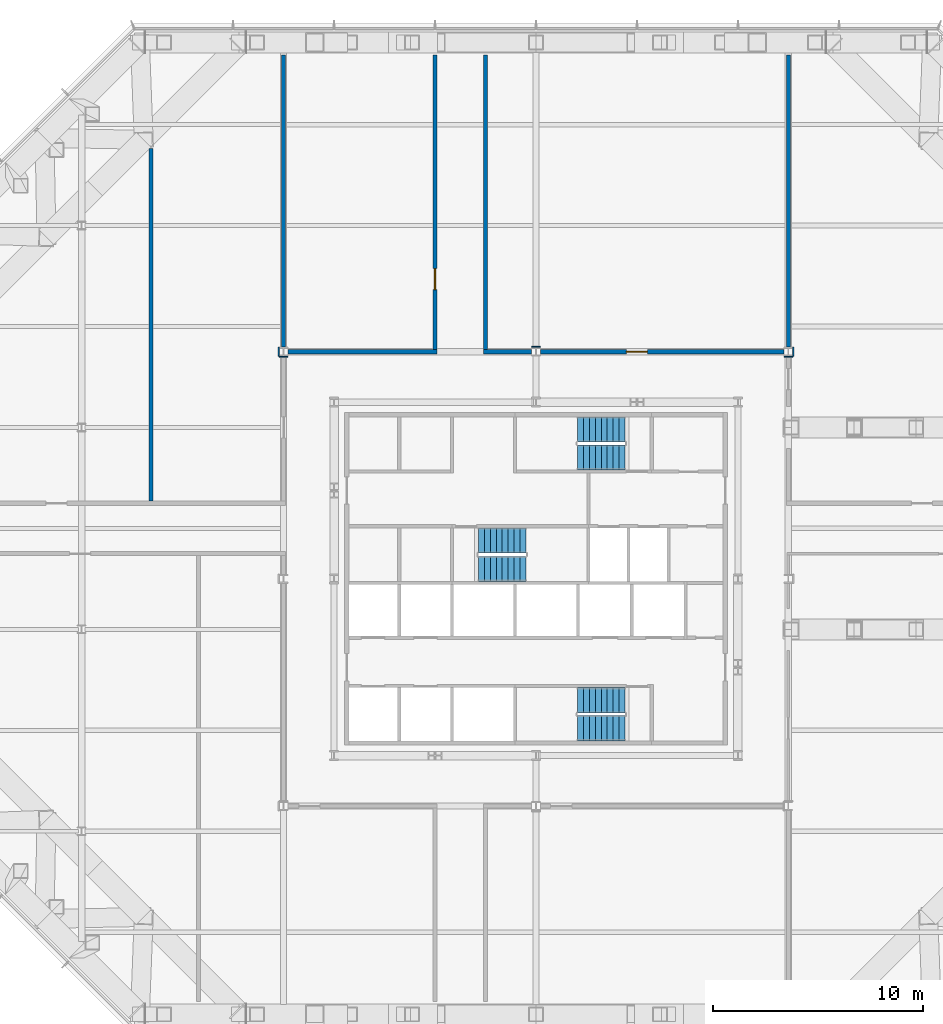
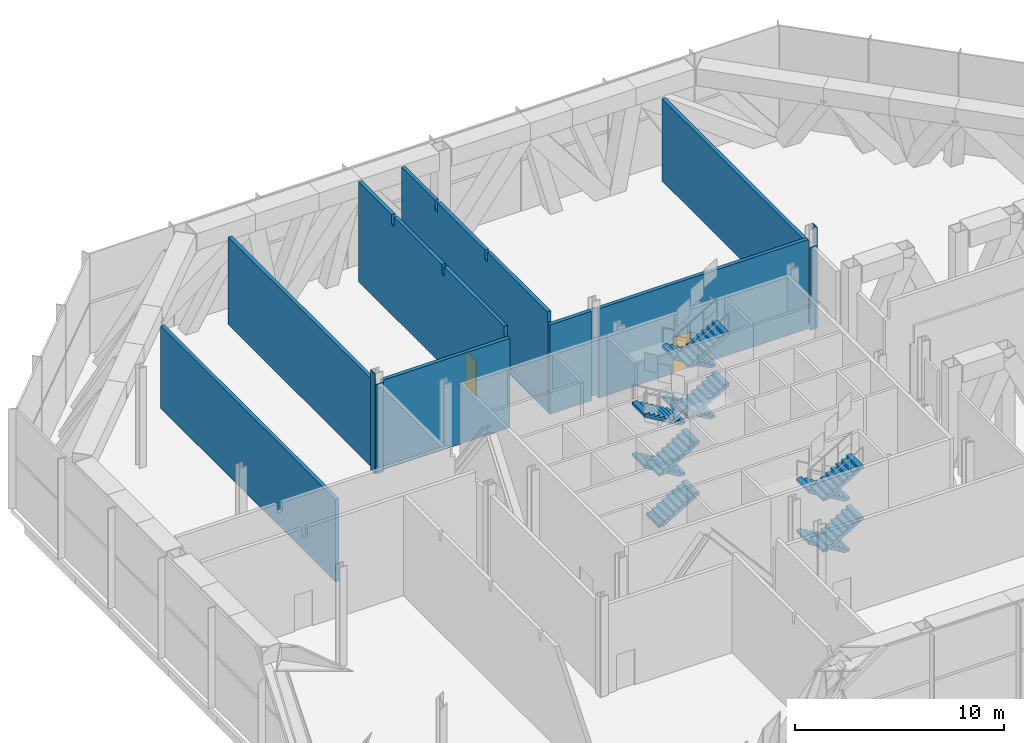
# One storey, part 15 of 17: 13 walls, 12 stair flights, 2 doors, 2 openings, 3 elements without a shape of their own.
"""IFC4 building model written with IfcOpenShell, lengths in metres."""

from ifc_helpers import new_model, si_unit, direction, frame, frame_2d, origin, place, context, subcontext, project, spatial, polyline, rectangle, outline, extrude, material, layer, layer_set, type_object, element, fill, aggregate, save


model = new_model("IFC4")

# Units and contexts
model_context = context("Model", 3, precision=1e-05, world=origin(), true_north=direction((0.0, 1.0)))
body_context = subcontext(model_context, "Body", "Model", "MODEL_VIEW")
ifc_project = project(units=[si_unit("LENGTHUNIT", "METRE"), si_unit("AREAUNIT", "SQUARE_METRE"), si_unit("VOLUMEUNIT", "CUBIC_METRE"), si_unit("PLANEANGLEUNIT", "RADIAN"), si_unit("MASSUNIT", "GRAM", prefix="KILO")], contexts=[model_context])

# Site, building, storey
site_placement = place(None, origin())
site = spatial("IfcSite", under=ifc_project, at=site_placement, CompositionType="ELEMENT")
building_placement = place(site_placement, origin())
building = spatial("IfcBuilding", under=site, at=building_placement, Name="Cairn Pilgrim Tower", CompositionType="ELEMENT")
storey_placement = place(building_placement, frame((0.0, 0.0, 119.39990234375)))
storey = spatial("IfcBuildingStorey", under=building, at=storey_placement, Name="L29", CompositionType="ELEMENT", Elevation=119.39990234375)

# Walls
ifc_material_1 = material(Name="Gypsum partition")
ifc_layer_1 = layer(ifc_material_1, 0.050048828125)
ifc_layer_set_1 = layer_set([ifc_layer_1], Name="PARTITION 50 DRYWALL EI 120")
wall_type_1 = type_object("IfcWallType", Name="PARTITION 50 DRYWALL EI 120", PredefinedType="PARTITIONING", material=ifc_layer_set_1)
for number, where, z_axis, x_axis, name in (
    (1, (-5.029541015625, 12.987548828125, 0.0), (0.0, 0.0, 1.0), (0.0, 1.0, 0.0), "COLUMN CASING WC08"),
    (2, (19.429443359375, 12.987548828125, 0.0), (0.0, 0.0, 1.0), (0.0, 1.0, 0.0), "COLUMN CASING WC09"),
):
    element("IfcWall", number, at=place(storey_placement, frame(where, z_axis=z_axis, x_axis=x_axis)), inside=storey, type_object=wall_type_1, Name=name, PredefinedType="PARTITIONING", context=body_context, shape_type="SweptSolid", body=[
        extrude(rectangle(XDim=0.425048828125, YDim=0.050048828125, at=frame_2d((0.21240234375, 0.0))), origin(), (0.0, 0.0, 1.0), 5.85009765625),
    ])
wall_1_placement = place(storey_placement, frame((-5.00439453125, 12.96240234375, 0.0), z_axis=(0.0, 0.0, 1.0), x_axis=(1.0, 0.0, 0.0)))
element("IfcWall", 3, at=wall_1_placement, inside=storey, type_object=wall_type_1, Name="COLUMN CASING WC10", PredefinedType="PARTITIONING", context=body_context, shape_type="SweptSolid", body=[
    extrude(rectangle(XDim=0.408935546875, YDim=0.050048828125, at=frame_2d((0.20458984375, 0.0))), origin(), (0.0, 0.0, 1.0), 5.22998046875),
])
wall_2_placement = place(storey_placement, frame((6.99560546875, 13.4375, 0.0), z_axis=(0.0, 0.0, 1.0), x_axis=(1.0, 0.0, 0.0)))
element("IfcWall", 4, at=wall_2_placement, inside=storey, type_object=wall_type_1, Name="COLUMN CASING WC11", PredefinedType="PARTITIONING", context=body_context, shape_type="SweptSolid", body=[
    extrude(rectangle(XDim=0.408935546875, YDim=0.050048828125, at=frame_2d((0.20458984375, 0.0))), origin(), (0.0, 0.0, 1.0), 5.130126953125),
])
wall_3_placement = place(storey_placement, frame((18.99560546875, 12.96240234375, 0.0), z_axis=(0.0, 0.0, 1.0), x_axis=(1.0, 0.0, 0.0)))
element("IfcWall", 5, at=wall_3_placement, inside=storey, type_object=wall_type_1, Name="COLUMN CASING WC12", PredefinedType="PARTITIONING", context=body_context, shape_type="SweptSolid", body=[
    extrude(rectangle(XDim=0.408935546875, YDim=0.050048828125, at=frame_2d((0.20458984375, 0.0))), origin(), (0.0, 0.0, 1.0), 4.822021484375),
])
ifc_layer_2 = layer(ifc_material_1, 0.199951171875)
ifc_layer_set_2 = layer_set([ifc_layer_2], Name="SHAFT WALL 200 GYPSUM EI 120")
wall_type_2 = type_object("IfcWallType", Name="SHAFT WALL 200 GYPSUM EI 120", PredefinedType="PARTITIONING", material=ifc_layer_set_2)
wall_4_placement = place(storey_placement, frame((-11.10009765625, 6.10009765625, 0.0), z_axis=(0.0, 0.0, 1.0), x_axis=(0.0, 1.0, 0.0)))
element("IfcWall", 6, at=wall_4_placement, inside=storey, type_object=wall_type_2, Name="PARTITION W017", PredefinedType="PARTITIONING", context=body_context, shape_type="SweptSolid", body=[
    extrude(outline(polyline([(0.0, 0.0), (16.771484375, 0.0), (16.771484375, 1.462646484375), (16.771484375, 2.925048828125), (16.771484375, 4.3876953125), (16.771484375, 4.830078125), (0.0, 4.830078125), (0.0, 4.3876953125), (0.0, 2.925048828125), (0.0, 1.462646484375), (0.0, 0.0)])), frame((0.0, 0.10009765625, 0.0), z_axis=(0.0, -1.0, 0.0), x_axis=(1.0, 0.0, 0.0)), (0.0, 0.0, 1.0), 0.199951171875),
])
wall_5_placement = place(storey_placement, frame((-4.595458984375, 13.199951171875, 0.0), z_axis=(0.0, 0.0, 1.0), x_axis=(1.0, 0.0, 0.0)))
element("IfcWall", 7, at=wall_5_placement, inside=storey, type_object=wall_type_2, Name="PARTITION W021", PredefinedType="PARTITIONING", context=body_context, shape_type="SweptSolid", body=[
    extrude(rectangle(XDim=7.095458984375, YDim=0.199951171875, at=frame_2d((3.5478515625, 0.0))), origin(), (0.0, 0.0, 1.0), 5.22998046875),
])
wall_6_placement = place(storey_placement, frame((4.699951171875, 13.199951171875, 0.0), z_axis=(0.0, 0.0, 1.0), x_axis=(1.0, 0.0, 0.0)))
element("IfcWall", 8, at=wall_6_placement, inside=storey, type_object=wall_type_2, Name="PARTITION W022", PredefinedType="PARTITIONING", context=body_context, shape_type="SweptSolid", body=[
    extrude(rectangle(XDim=2.295654296875, YDim=0.199951171875, at=frame_2d((1.14794921875, 0.0))), origin(), (0.0, 0.0, 1.0), 5.22998046875),
])

# Wall, opening, door
wall_7_placement = place(storey_placement, frame((7.404541015625, 13.199951171875, 0.0), z_axis=(0.0, 0.0, 1.0), x_axis=(1.0, 0.0, 0.0)))
wall_7 = element("IfcWall", 9, at=wall_7_placement, inside=storey, type_object=wall_type_2, Name="PARTITION W023", PredefinedType="PARTITIONING", context=body_context, shape_type="SweptSolid", body=[
    extrude(rectangle(XDim=11.591064453125, YDim=0.199951171875, at=frame_2d((5.79541015625, 0.0))), origin(), (0.0, 0.0, 1.0), 5.22998046875),
])
opening_1_placement = place(wall_7_placement, frame((4.095458984375, 0.0, 0.0)))
opening_1 = element("IfcOpeningElement", 10, at=opening_1_placement, cuts=wall_7, Name="Opening 2904", PredefinedType="OPENING", context=body_context, shape_type="SweptSolid", body=[
    extrude(rectangle(XDim=1.0, YDim=2.10009765625, at=frame_2d((0.5, 1.050048828125))), frame((0.0, 0.10986328125, 0.0), z_axis=(0.0, -1.0, 0.0), x_axis=(1.0, 0.0, 0.0)), (0.0, 0.0, 1.0), 0.219970703125),
])
ifc_material_2 = material(Name="Steel-faced fire door leaf", Category="steel")
door_type = type_object("IfcDoorType", Name="FIRE DOOR 1000x2100 FD60S", OperationType="NOTDEFINED", PredefinedType="DOOR", material=ifc_material_2)
door_1_placement = place(opening_1_placement, frame((1.0, 0.0, 0.0), z_axis=(0.0, 0.0, 1.0), x_axis=(-1.0, 0.0, 0.0)))
door_1 = element("IfcDoor", 11, at=door_1_placement, inside=storey, type_object=door_type, Name="DOOR 2904", OperationType="SINGLE_SWING_RIGHT", OverallHeight=2.10009765625, OverallWidth=1.0, PredefinedType="DOOR", context=body_context, shape_type="SweptSolid", body=[
    extrude(rectangle(XDim=1.0, YDim=2.10009765625, at=frame_2d((0.5, 1.050048828125))), frame((0.0, 0.02490234375, 0.0), z_axis=(0.0, -1.0, 0.0), x_axis=(1.0, 0.0, 0.0)), (0.0, 0.0, 1.0), 0.050048828125),
])
fill(opening_1, door_1)

wall_8_placement = place(storey_placement, frame((2.39990234375, 13.300048828125, 0.0), z_axis=(0.0, 0.0, 1.0), x_axis=(0.0, 1.0, 0.0)))
wall_8 = element("IfcWall", 12, at=wall_8_placement, inside=storey, type_object=wall_type_2, Name="PARTITION W024", PredefinedType="PARTITIONING", context=body_context, shape_type="SweptSolid", body=[
    extrude(outline(polyline([(0.0, 0.0), (14.0, 0.0), (14.0, 5.85009765625), (10.804931640625, 5.85009765625), (10.802978515625, 5.280029296875), (10.594970703125, 5.280029296875), (10.593017578125, 5.85009765625), (6.0048828125, 5.85009765625), (6.0029296875, 5.280029296875), (5.794921875, 5.280029296875), (5.79296875, 5.85009765625), (0.050048828125, 5.85009765625), (0.048095703125, 5.22998046875), (0.0, 5.22998046875), (0.0, 0.0)])), frame((0.0, 0.10009765625, 0.0), z_axis=(0.0, -1.0, 0.0), x_axis=(1.0, 0.0, 0.0)), (0.0, 0.0, 1.0), 0.199951171875),
])
opening_2_placement = place(wall_8_placement, frame((2.85009765625, 0.0, 0.0)))
opening_2 = element("IfcOpeningElement", 13, at=opening_2_placement, cuts=wall_8, Name="Opening 2903", PredefinedType="OPENING", context=body_context, shape_type="SweptSolid", body=[
    extrude(rectangle(XDim=1.0, YDim=2.10009765625, at=frame_2d((0.5, 1.050048828125))), frame((0.0, 0.10986328125, 0.0), z_axis=(0.0, -1.0, 0.0), x_axis=(1.0, 0.0, 0.0)), (0.0, 0.0, 1.0), 0.219970703125),
])
door_2_placement = place(opening_2_placement, frame((1.0, 0.0, 0.0), z_axis=(0.0, 0.0, 1.0), x_axis=(-1.0, 0.0, 0.0)))
door_2 = element("IfcDoor", 14, at=door_2_placement, inside=storey, type_object=door_type, Name="DOOR 2903", OperationType="SINGLE_SWING_LEFT", OverallHeight=2.10009765625, OverallWidth=1.0, PredefinedType="DOOR", context=body_context, shape_type="SweptSolid", body=[
    extrude(rectangle(XDim=1.0, YDim=2.10009765625, at=frame_2d((0.5, 1.050048828125))), frame((0.0, 0.02490234375, 0.0), z_axis=(0.0, -1.0, 0.0), x_axis=(1.0, 0.0, 0.0)), (0.0, 0.0, 1.0), 0.050048828125),
])
fill(opening_2, door_2)

# Walls
wall_9_placement = place(storey_placement, frame((4.800048828125, 13.300048828125, 0.0), z_axis=(0.0, 0.0, 1.0), x_axis=(0.0, 1.0, 0.0)))
element("IfcWall", 15, at=wall_9_placement, inside=storey, type_object=wall_type_2, Name="PARTITION W025", PredefinedType="PARTITIONING", context=body_context, shape_type="SweptSolid", body=[
    extrude(outline(polyline([(0.0, 0.0), (14.0, 0.0), (14.0, 5.85009765625), (10.804931640625, 5.85009765625), (10.802978515625, 5.280029296875), (10.594970703125, 5.280029296875), (10.593017578125, 5.85009765625), (6.0048828125, 5.85009765625), (6.0029296875, 5.280029296875), (5.794921875, 5.280029296875), (5.79296875, 5.85009765625), (0.050048828125, 5.85009765625), (0.048095703125, 5.22998046875), (0.0, 5.22998046875), (0.0, 0.0)])), frame((0.0, 0.10009765625, 0.0), z_axis=(0.0, -1.0, 0.0), x_axis=(1.0, 0.0, 0.0)), (0.0, 0.0, 1.0), 0.199951171875),
])
wall_10_placement = place(storey_placement, frame((-4.800048828125, 13.41259765625, 0.0), z_axis=(0.0, 0.0, 1.0), x_axis=(0.0, 1.0, 0.0)))
element("IfcWall", 16, at=wall_10_placement, inside=storey, type_object=wall_type_2, Name="PARTITION W026", PredefinedType="PARTITIONING", context=body_context, shape_type="SweptSolid", body=[
    extrude(rectangle(XDim=13.887451171875, YDim=0.199951171875, at=frame_2d((6.94384765625, 0.0))), origin(), (0.0, 0.0, 1.0), 5.130126953125),
])
wall_11_placement = place(storey_placement, frame((19.199951171875, 13.41259765625, 0.0), z_axis=(0.0, 0.0, 1.0), x_axis=(0.0, 1.0, 0.0)))
element("IfcWall", 17, at=wall_11_placement, inside=storey, type_object=wall_type_2, Name="PARTITION W027", PredefinedType="PARTITIONING", context=body_context, shape_type="SweptSolid", body=[
    extrude(rectangle(XDim=13.887451171875, YDim=0.199951171875, at=frame_2d((6.94384765625, 0.0))), origin(), (0.0, 0.0, 1.0), 4.822021484375),
])

# Stair, stair flights
ifc_material_3 = material(Name="Concrete C32/40", Category="concrete")
stair_type = type_object("IfcStairType", Name="EXIT STAIR 1200", PredefinedType="HALF_TURN_STAIR", material=ifc_material_3)
stair_1_placement = place(storey_placement, origin())
stair_1 = element("IfcStair", 18, at=stair_1_placement, inside=storey, type_object=stair_type, Name="L29 Exit Stair A", PredefinedType="HALF_TURN_STAIR")
stair_flight_type = type_object("IfcStairFlightType", Name="STAIR FLIGHT 1200", PredefinedType="STRAIGHT", material=ifc_material_3)
stair_flight_1_placement = place(storey_placement, frame((11.425048828125, -3.375, 0.0), z_axis=(0.0, 0.0, 1.0), x_axis=(-1.0, 0.0, 0.0)))
stair_flight_1 = element("IfcStairFlight", 19, at=stair_flight_1_placement, type_object=stair_flight_type, Name="ST-A flight 1", NumberOfRisers=9, NumberOfTreads=8, PredefinedType="STRAIGHT", RiserHeight=0.166666667, TreadLength=0.28, context=body_context, shape_type="SweptSolid", body=[
    extrude(outline(polyline([(0.0, 0.0), (0.0, 0.166748046875), (0.280029296875, 0.166748046875), (0.280029296875, 0.333251953125), (0.56005859375, 0.333251953125), (0.56005859375, 0.5), (0.840087890625, 0.5), (0.840087890625, 0.666748046875), (1.1201171875, 0.666748046875), (1.1201171875, 0.833251953125), (1.39990234375, 0.833251953125), (1.39990234375, 1.0), (1.679931640625, 1.0), (1.679931640625, 1.166748046875), (1.9599609375, 1.166748046875), (1.9599609375, 1.333251953125), (2.239990234375, 1.333251953125), (2.239990234375, 1.5), (2.239990234375, 1.158935546875), (0.29296875, 0.0), (0.0, 0.0)])), frame((0.0, 0.60009765625, 0.0), z_axis=(0.0, -1.0, 0.0), x_axis=(1.0, 0.0, 0.0)), (0.0, 0.0, 1.0), 1.199951171875),
])
stair_flight_2_placement = place(storey_placement, frame((9.18505859375, -4.699951171875, 1.5), z_axis=(0.0, 0.0, 1.0), x_axis=(1.0, 0.0, 0.0)))
stair_flight_2 = element("IfcStairFlight", 20, at=stair_flight_2_placement, type_object=stair_flight_type, Name="ST-A flight 2", NumberOfRisers=9, NumberOfTreads=8, PredefinedType="STRAIGHT", RiserHeight=0.166666667, TreadLength=0.28, context=body_context, shape_type="SweptSolid", body=[
    extrude(outline(polyline([(0.0, 0.0), (0.0, 0.166748046875), (0.280029296875, 0.166748046875), (0.280029296875, 0.333251953125), (0.56005859375, 0.333251953125), (0.56005859375, 0.5), (0.840087890625, 0.5), (0.840087890625, 0.666748046875), (1.1201171875, 0.666748046875), (1.1201171875, 0.833251953125), (1.39990234375, 0.833251953125), (1.39990234375, 1.0), (1.679931640625, 1.0), (1.679931640625, 1.166748046875), (1.9599609375, 1.166748046875), (1.9599609375, 1.333251953125), (2.239990234375, 1.333251953125), (2.239990234375, 1.5), (2.239990234375, 1.158935546875), (0.29296875, 0.0), (0.0, 0.0)])), frame((0.0, 0.60009765625, 0.0), z_axis=(0.0, -1.0, 0.0), x_axis=(1.0, 0.0, 0.0)), (0.0, 0.0, 1.0), 1.199951171875),
])
stair_flight_3_placement = place(storey_placement, frame((11.425048828125, -3.375, 3.0), z_axis=(0.0, 0.0, 1.0), x_axis=(-1.0, 0.0, 0.0)))
stair_flight_3 = element("IfcStairFlight", 21, at=stair_flight_3_placement, type_object=stair_flight_type, Name="ST-A flight 3", NumberOfRisers=9, NumberOfTreads=8, PredefinedType="STRAIGHT", RiserHeight=0.166666667, TreadLength=0.28, context=body_context, shape_type="SweptSolid", body=[
    extrude(outline(polyline([(0.0, 0.0), (0.0, 0.166748046875), (0.280029296875, 0.166748046875), (0.280029296875, 0.333251953125), (0.56005859375, 0.333251953125), (0.56005859375, 0.5), (0.840087890625, 0.5), (0.840087890625, 0.666748046875), (1.1201171875, 0.666748046875), (1.1201171875, 0.833251953125), (1.39990234375, 0.833251953125), (1.39990234375, 1.0), (1.679931640625, 1.0), (1.679931640625, 1.166748046875), (1.9599609375, 1.166748046875), (1.9599609375, 1.333251953125), (2.239990234375, 1.333251953125), (2.239990234375, 1.5), (2.239990234375, 1.158935546875), (0.29296875, 0.0), (0.0, 0.0)])), frame((0.0, 0.60009765625, 0.0), z_axis=(0.0, -1.0, 0.0), x_axis=(1.0, 0.0, 0.0)), (0.0, 0.0, 1.0), 1.199951171875),
])
stair_flight_4_placement = place(storey_placement, frame((9.18505859375, -4.699951171875, 4.5), z_axis=(0.0, 0.0, 1.0), x_axis=(1.0, 0.0, 0.0)))
stair_flight_4 = element("IfcStairFlight", 22, at=stair_flight_4_placement, type_object=stair_flight_type, Name="ST-A flight 4", NumberOfRisers=9, NumberOfTreads=8, PredefinedType="STRAIGHT", RiserHeight=0.166666667, TreadLength=0.28, context=body_context, shape_type="SweptSolid", body=[
    extrude(outline(polyline([(0.0, 0.0), (0.0, 0.166748046875), (0.280029296875, 0.166748046875), (0.280029296875, 0.333251953125), (0.56005859375, 0.333251953125), (0.56005859375, 0.5), (0.840087890625, 0.5), (0.840087890625, 0.666748046875), (1.1201171875, 0.666748046875), (1.1201171875, 0.833251953125), (1.39990234375, 0.833251953125), (1.39990234375, 1.0), (1.679931640625, 1.0), (1.679931640625, 1.166748046875), (1.9599609375, 1.166748046875), (1.9599609375, 1.333251953125), (2.239990234375, 1.333251953125), (2.239990234375, 1.5), (2.239990234375, 1.158935546875), (0.29296875, 0.0), (0.0, 0.0)])), frame((0.0, 0.60009765625, 0.0), z_axis=(0.0, -1.0, 0.0), x_axis=(1.0, 0.0, 0.0)), (0.0, 0.0, 1.0), 1.199951171875),
])
aggregate(stair_1, [stair_flight_1, stair_flight_2, stair_flight_3, stair_flight_4])

stair_2_placement = place(storey_placement, origin())
stair_2 = element("IfcStair", 23, at=stair_2_placement, inside=storey, type_object=stair_type, Name="L29 Exit Stair B", PredefinedType="HALF_TURN_STAIR")
stair_flight_5_placement = place(storey_placement, frame((4.47509765625, 2.875, 0.0), z_axis=(0.0, 0.0, 1.0), x_axis=(1.0, 0.0, 0.0)))
stair_flight_5 = element("IfcStairFlight", 24, at=stair_flight_5_placement, type_object=stair_flight_type, Name="ST-B flight 1", NumberOfRisers=9, NumberOfTreads=8, PredefinedType="STRAIGHT", RiserHeight=0.166666667, TreadLength=0.28, context=body_context, shape_type="SweptSolid", body=[
    extrude(outline(polyline([(0.0, 0.0), (0.0, 0.166748046875), (0.280029296875, 0.166748046875), (0.280029296875, 0.333251953125), (0.56005859375, 0.333251953125), (0.56005859375, 0.5), (0.840087890625, 0.5), (0.840087890625, 0.666748046875), (1.1201171875, 0.666748046875), (1.1201171875, 0.833251953125), (1.39990234375, 0.833251953125), (1.39990234375, 1.0), (1.679931640625, 1.0), (1.679931640625, 1.166748046875), (1.9599609375, 1.166748046875), (1.9599609375, 1.333251953125), (2.239990234375, 1.333251953125), (2.239990234375, 1.5), (2.239990234375, 1.158935546875), (0.29296875, 0.0), (0.0, 0.0)])), frame((0.0, 0.60009765625, 0.0), z_axis=(0.0, -1.0, 0.0), x_axis=(1.0, 0.0, 0.0)), (0.0, 0.0, 1.0), 1.199951171875),
])
stair_flight_6_placement = place(storey_placement, frame((6.715087890625, 4.22509765625, 1.5), z_axis=(0.0, 0.0, 1.0), x_axis=(-1.0, 0.0, 0.0)))
stair_flight_6 = element("IfcStairFlight", 25, at=stair_flight_6_placement, type_object=stair_flight_type, Name="ST-B flight 2", NumberOfRisers=9, NumberOfTreads=8, PredefinedType="STRAIGHT", RiserHeight=0.166666667, TreadLength=0.28, context=body_context, shape_type="SweptSolid", body=[
    extrude(outline(polyline([(0.0, 0.0), (0.0, 0.166748046875), (0.280029296875, 0.166748046875), (0.280029296875, 0.333251953125), (0.56005859375, 0.333251953125), (0.56005859375, 0.5), (0.840087890625, 0.5), (0.840087890625, 0.666748046875), (1.1201171875, 0.666748046875), (1.1201171875, 0.833251953125), (1.39990234375, 0.833251953125), (1.39990234375, 1.0), (1.679931640625, 1.0), (1.679931640625, 1.166748046875), (1.9599609375, 1.166748046875), (1.9599609375, 1.333251953125), (2.239990234375, 1.333251953125), (2.239990234375, 1.5), (2.239990234375, 1.158935546875), (0.29296875, 0.0), (0.0, 0.0)])), frame((0.0, 0.60009765625, 0.0), z_axis=(0.0, -1.0, 0.0), x_axis=(1.0, 0.0, 0.0)), (0.0, 0.0, 1.0), 1.199951171875),
])
stair_flight_7_placement = place(storey_placement, frame((4.47509765625, 2.875, 3.0), z_axis=(0.0, 0.0, 1.0), x_axis=(1.0, 0.0, 0.0)))
stair_flight_7 = element("IfcStairFlight", 26, at=stair_flight_7_placement, type_object=stair_flight_type, Name="ST-B flight 3", NumberOfRisers=9, NumberOfTreads=8, PredefinedType="STRAIGHT", RiserHeight=0.166666667, TreadLength=0.28, context=body_context, shape_type="SweptSolid", body=[
    extrude(outline(polyline([(0.0, 0.0), (0.0, 0.166748046875), (0.280029296875, 0.166748046875), (0.280029296875, 0.333251953125), (0.56005859375, 0.333251953125), (0.56005859375, 0.5), (0.840087890625, 0.5), (0.840087890625, 0.666748046875), (1.1201171875, 0.666748046875), (1.1201171875, 0.833251953125), (1.39990234375, 0.833251953125), (1.39990234375, 1.0), (1.679931640625, 1.0), (1.679931640625, 1.166748046875), (1.9599609375, 1.166748046875), (1.9599609375, 1.333251953125), (2.239990234375, 1.333251953125), (2.239990234375, 1.5), (2.239990234375, 1.158935546875), (0.29296875, 0.0), (0.0, 0.0)])), frame((0.0, 0.60009765625, 0.0), z_axis=(0.0, -1.0, 0.0), x_axis=(1.0, 0.0, 0.0)), (0.0, 0.0, 1.0), 1.199951171875),
])
stair_flight_8_placement = place(storey_placement, frame((6.715087890625, 4.22509765625, 4.5), z_axis=(0.0, 0.0, 1.0), x_axis=(-1.0, 0.0, 0.0)))
stair_flight_8 = element("IfcStairFlight", 27, at=stair_flight_8_placement, type_object=stair_flight_type, Name="ST-B flight 4", NumberOfRisers=9, NumberOfTreads=8, PredefinedType="STRAIGHT", RiserHeight=0.166666667, TreadLength=0.28, context=body_context, shape_type="SweptSolid", body=[
    extrude(outline(polyline([(0.0, 0.0), (0.0, 0.166748046875), (0.280029296875, 0.166748046875), (0.280029296875, 0.333251953125), (0.56005859375, 0.333251953125), (0.56005859375, 0.5), (0.840087890625, 0.5), (0.840087890625, 0.666748046875), (1.1201171875, 0.666748046875), (1.1201171875, 0.833251953125), (1.39990234375, 0.833251953125), (1.39990234375, 1.0), (1.679931640625, 1.0), (1.679931640625, 1.166748046875), (1.9599609375, 1.166748046875), (1.9599609375, 1.333251953125), (2.239990234375, 1.333251953125), (2.239990234375, 1.5), (2.239990234375, 1.158935546875), (0.29296875, 0.0), (0.0, 0.0)])), frame((0.0, 0.60009765625, 0.0), z_axis=(0.0, -1.0, 0.0), x_axis=(1.0, 0.0, 0.0)), (0.0, 0.0, 1.0), 1.199951171875),
])
aggregate(stair_2, [stair_flight_5, stair_flight_6, stair_flight_7, stair_flight_8])

stair_3_placement = place(storey_placement, origin())
stair_3 = element("IfcStair", 28, at=stair_3_placement, inside=storey, type_object=stair_type, Name="L29 Exit Stair C", PredefinedType="HALF_TURN_STAIR")
stair_flight_9_placement = place(storey_placement, frame((11.425048828125, 9.5, 0.0), z_axis=(0.0, 0.0, 1.0), x_axis=(-1.0, 0.0, 0.0)))
stair_flight_9 = element("IfcStairFlight", 29, at=stair_flight_9_placement, type_object=stair_flight_type, Name="ST-C flight 1", NumberOfRisers=9, NumberOfTreads=8, PredefinedType="STRAIGHT", RiserHeight=0.166666667, TreadLength=0.28, context=body_context, shape_type="SweptSolid", body=[
    extrude(outline(polyline([(0.0, 0.0), (0.0, 0.166748046875), (0.280029296875, 0.166748046875), (0.280029296875, 0.333251953125), (0.56005859375, 0.333251953125), (0.56005859375, 0.5), (0.840087890625, 0.5), (0.840087890625, 0.666748046875), (1.1201171875, 0.666748046875), (1.1201171875, 0.833251953125), (1.39990234375, 0.833251953125), (1.39990234375, 1.0), (1.679931640625, 1.0), (1.679931640625, 1.166748046875), (1.9599609375, 1.166748046875), (1.9599609375, 1.333251953125), (2.239990234375, 1.333251953125), (2.239990234375, 1.5), (2.239990234375, 1.158935546875), (0.29296875, 0.0), (0.0, 0.0)])), frame((0.0, 0.60009765625, 0.0), z_axis=(0.0, -1.0, 0.0), x_axis=(1.0, 0.0, 0.0)), (0.0, 0.0, 1.0), 1.199951171875),
])
stair_flight_10_placement = place(storey_placement, frame((9.18505859375, 8.175048828125, 1.5), z_axis=(0.0, 0.0, 1.0), x_axis=(1.0, 0.0, 0.0)))
stair_flight_10 = element("IfcStairFlight", 30, at=stair_flight_10_placement, type_object=stair_flight_type, Name="ST-C flight 2", NumberOfRisers=9, NumberOfTreads=8, PredefinedType="STRAIGHT", RiserHeight=0.166666667, TreadLength=0.28, context=body_context, shape_type="SweptSolid", body=[
    extrude(outline(polyline([(0.0, 0.0), (0.0, 0.166748046875), (0.280029296875, 0.166748046875), (0.280029296875, 0.333251953125), (0.56005859375, 0.333251953125), (0.56005859375, 0.5), (0.840087890625, 0.5), (0.840087890625, 0.666748046875), (1.1201171875, 0.666748046875), (1.1201171875, 0.833251953125), (1.39990234375, 0.833251953125), (1.39990234375, 1.0), (1.679931640625, 1.0), (1.679931640625, 1.166748046875), (1.9599609375, 1.166748046875), (1.9599609375, 1.333251953125), (2.239990234375, 1.333251953125), (2.239990234375, 1.5), (2.239990234375, 1.158935546875), (0.29296875, 0.0), (0.0, 0.0)])), frame((0.0, 0.60009765625, 0.0), z_axis=(0.0, -1.0, 0.0), x_axis=(1.0, 0.0, 0.0)), (0.0, 0.0, 1.0), 1.199951171875),
])
stair_flight_11_placement = place(storey_placement, frame((11.425048828125, 9.5, 3.0), z_axis=(0.0, 0.0, 1.0), x_axis=(-1.0, 0.0, 0.0)))
stair_flight_11 = element("IfcStairFlight", 31, at=stair_flight_11_placement, type_object=stair_flight_type, Name="ST-C flight 3", NumberOfRisers=9, NumberOfTreads=8, PredefinedType="STRAIGHT", RiserHeight=0.166666667, TreadLength=0.28, context=body_context, shape_type="SweptSolid", body=[
    extrude(outline(polyline([(0.0, 0.0), (0.0, 0.166748046875), (0.280029296875, 0.166748046875), (0.280029296875, 0.333251953125), (0.56005859375, 0.333251953125), (0.56005859375, 0.5), (0.840087890625, 0.5), (0.840087890625, 0.666748046875), (1.1201171875, 0.666748046875), (1.1201171875, 0.833251953125), (1.39990234375, 0.833251953125), (1.39990234375, 1.0), (1.679931640625, 1.0), (1.679931640625, 1.166748046875), (1.9599609375, 1.166748046875), (1.9599609375, 1.333251953125), (2.239990234375, 1.333251953125), (2.239990234375, 1.5), (2.239990234375, 1.158935546875), (0.29296875, 0.0), (0.0, 0.0)])), frame((0.0, 0.60009765625, 0.0), z_axis=(0.0, -1.0, 0.0), x_axis=(1.0, 0.0, 0.0)), (0.0, 0.0, 1.0), 1.199951171875),
])
stair_flight_12_placement = place(storey_placement, frame((9.18505859375, 8.175048828125, 4.5), z_axis=(0.0, 0.0, 1.0), x_axis=(1.0, 0.0, 0.0)))
stair_flight_12 = element("IfcStairFlight", 32, at=stair_flight_12_placement, type_object=stair_flight_type, Name="ST-C flight 4", NumberOfRisers=9, NumberOfTreads=8, PredefinedType="STRAIGHT", RiserHeight=0.166666667, TreadLength=0.28, context=body_context, shape_type="SweptSolid", body=[
    extrude(outline(polyline([(0.0, 0.0), (0.0, 0.166748046875), (0.280029296875, 0.166748046875), (0.280029296875, 0.333251953125), (0.56005859375, 0.333251953125), (0.56005859375, 0.5), (0.840087890625, 0.5), (0.840087890625, 0.666748046875), (1.1201171875, 0.666748046875), (1.1201171875, 0.833251953125), (1.39990234375, 0.833251953125), (1.39990234375, 1.0), (1.679931640625, 1.0), (1.679931640625, 1.166748046875), (1.9599609375, 1.166748046875), (1.9599609375, 1.333251953125), (2.239990234375, 1.333251953125), (2.239990234375, 1.5), (2.239990234375, 1.158935546875), (0.29296875, 0.0), (0.0, 0.0)])), frame((0.0, 0.60009765625, 0.0), z_axis=(0.0, -1.0, 0.0), x_axis=(1.0, 0.0, 0.0)), (0.0, 0.0, 1.0), 1.199951171875),
])
aggregate(stair_3, [stair_flight_9, stair_flight_10, stair_flight_11, stair_flight_12])

save(model, "model.ifc")
